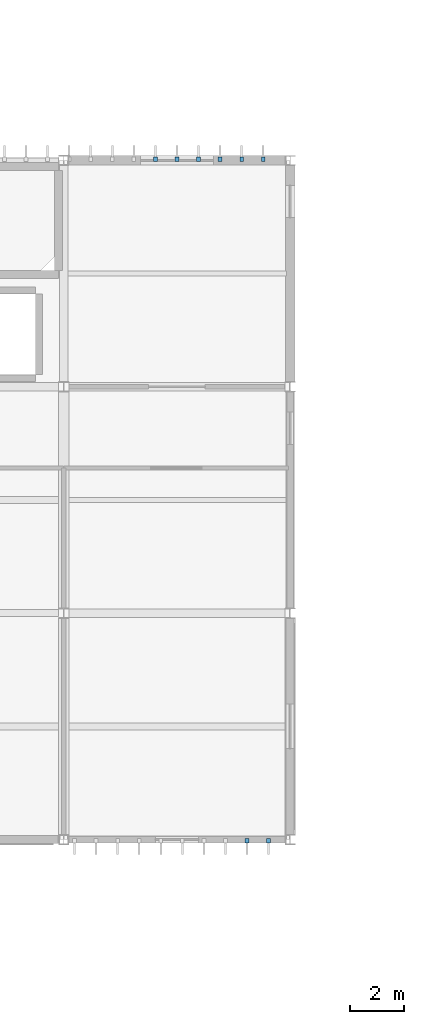
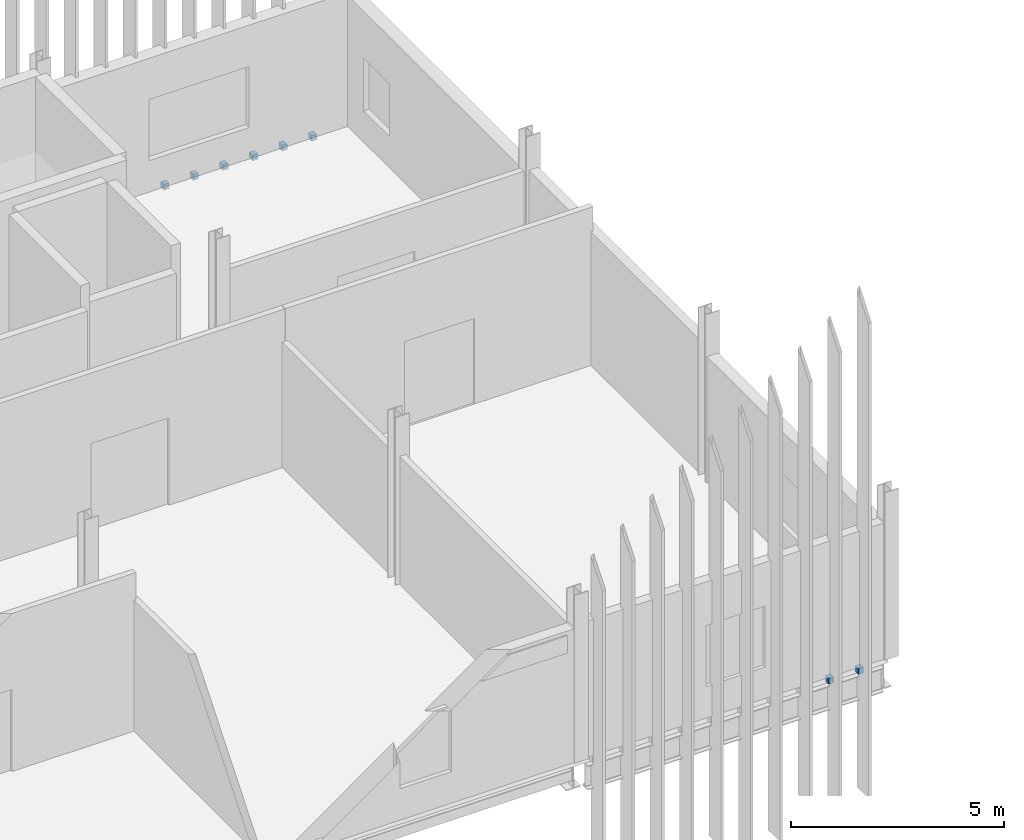
# One storey, part 58 of 72: 8 discrete accessories.
"""IFC4 building model written with IfcOpenShell, lengths in metres."""

from ifc_helpers import new_model, si_unit, direction, frame, origin, origin_2d, place, context, subcontext, project, spatial, rectangle, extrude, material, type_object, element, save


model = new_model("IFC4")

# Units and contexts
model_context = context("Model", 3, precision=1e-05, world=origin(), true_north=direction((0.0, 1.0)))
body_context = subcontext(model_context, "Body", "Model", "MODEL_VIEW")
ifc_project = project(units=[si_unit("LENGTHUNIT", "METRE"), si_unit("AREAUNIT", "SQUARE_METRE"), si_unit("VOLUMEUNIT", "CUBIC_METRE"), si_unit("PLANEANGLEUNIT", "RADIAN"), si_unit("MASSUNIT", "GRAM", prefix="KILO")], contexts=[model_context])

# Site, building, storey
site_placement = place(None, origin())
site = spatial("IfcSite", under=ifc_project, at=site_placement, CompositionType="ELEMENT")
building_placement = place(site_placement, origin())
building = spatial("IfcBuilding", under=site, at=building_placement, Name="Calvrana Isthmian Art Gallery", CompositionType="ELEMENT")
storey_placement = place(building_placement, frame((0.0, 0.0, 15.0)))
storey = spatial("IfcBuildingStorey", under=building, at=storey_placement, Name="L03", CompositionType="ELEMENT", Elevation=15.0)

# Discrete accessories
ifc_material = material(Name="Stainless steel 316", Category="steel")
discrete_accessory_type = type_object("IfcDiscreteAccessoryType", Name="ACC-BRK-FIN", PredefinedType="BRACKET", material=ifc_material)
for number, where, z_axis, x_axis, name in (
    (1, (78.800048828125, 21.56005859375, -0.2001953125), (0.0, 0.0, 1.0), (1.0, 0.0, 0.0), "Solar fin outrigger bracket V1_SE-008"),
    (2, (79.60009765625, 21.56005859375, -0.2001953125), (0.0, 0.0, 1.0), (1.0, 0.0, 0.0), "Solar fin outrigger bracket V1_SE-009"),
    (3, (75.39990234375, 46.840087890625, -0.2001953125), (0.0, 0.0, 1.0), (1.0, 0.0, 0.0), "Solar fin outrigger bracket V1_NE-014"),
    (4, (76.199951171875, 46.840087890625, -0.2001953125), (0.0, 0.0, 1.0), (1.0, 0.0, 0.0), "Solar fin outrigger bracket V1_NE-015"),
    (5, (77.0, 46.840087890625, -0.2001953125), (0.0, 0.0, 1.0), (1.0, 0.0, 0.0), "Solar fin outrigger bracket V1_NE-016"),
    (6, (77.800048828125, 46.840087890625, -0.2001953125), (0.0, 0.0, 1.0), (1.0, 0.0, 0.0), "Solar fin outrigger bracket V1_NE-017"),
    (7, (78.60009765625, 46.840087890625, -0.2001953125), (0.0, 0.0, 1.0), (1.0, 0.0, 0.0), "Solar fin outrigger bracket V1_NE-018"),
    (8, (79.39990234375, 46.840087890625, -0.2001953125), (0.0, 0.0, 1.0), (1.0, 0.0, 0.0), "Solar fin outrigger bracket V1_NE-019"),
):
    element("IfcDiscreteAccessory", number, at=place(storey_placement, frame(where, z_axis=z_axis, x_axis=x_axis)), inside=storey, type_object=discrete_accessory_type, Name=name, PredefinedType="BRACKET", context=body_context, shape_type="SweptSolid", body=[
        extrude(rectangle(XDim=0.139892578125, YDim=0.159912109375, at=origin_2d()), origin(), (0.0, 0.0, 1.0), 0.159912109375),
    ])

save(model, "model.ifc")
